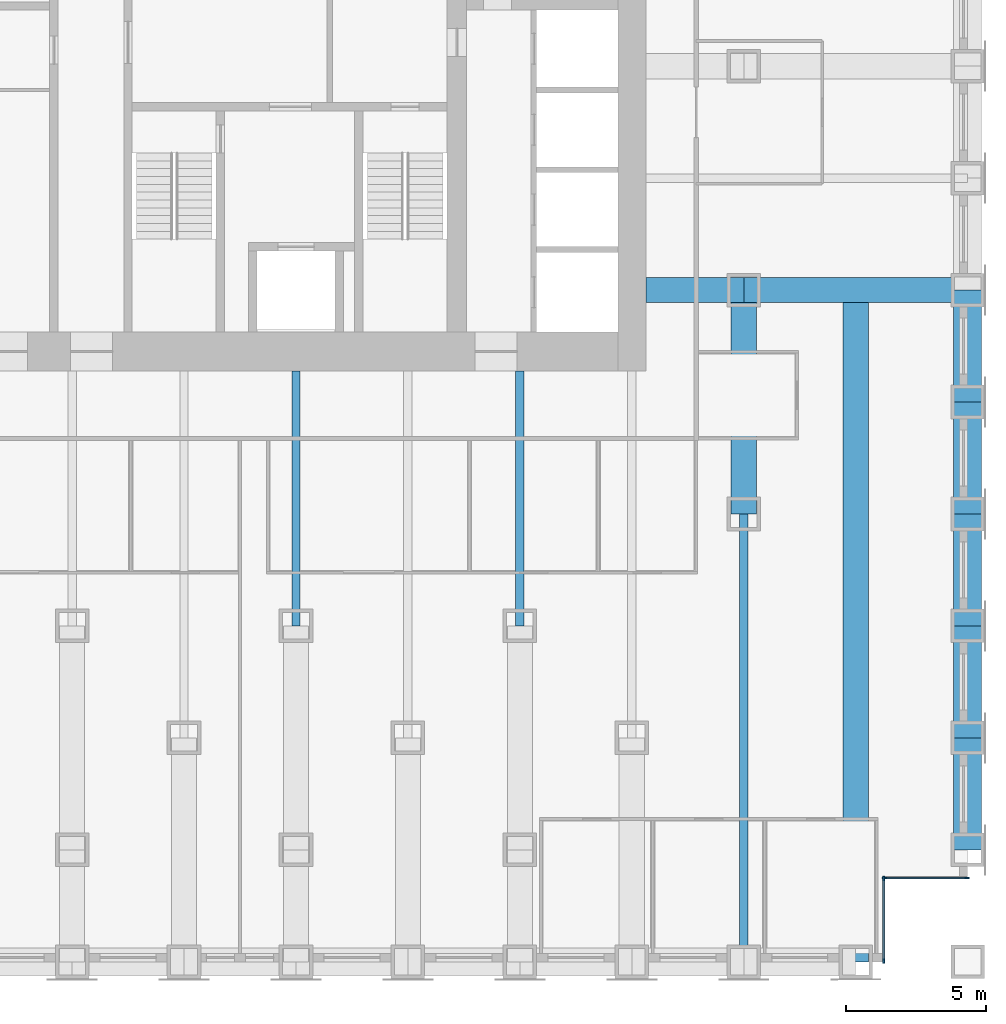
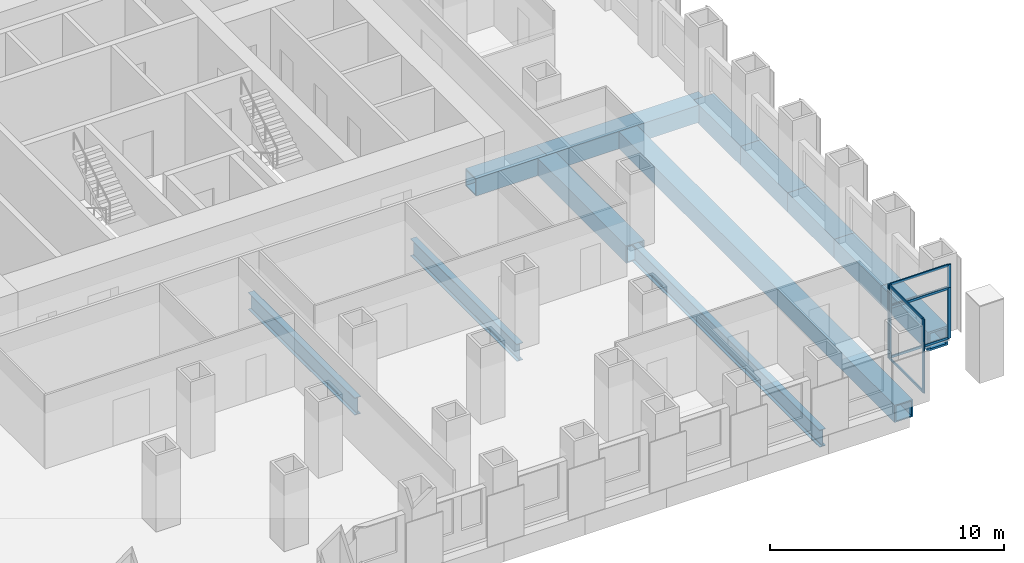
# One storey, part 4 of 15: 12 beams, 12 members, 3 elements without a shape of their own.
"""IFC4 building model written with IfcOpenShell, lengths in metres."""

import ifcopenshell
import ifcopenshell.guid

model = None  # the IFC model being written
_history = None  # IfcOwnerHistory: only IFC2X3 demands one
_inside = {}  # id of a spatial element -> (the spatial element, [elements in it])
_under = {}  # id of a project, library or spatial element -> (it, [spatial elements below it])
_declared = {}  # id of a project -> (the project, [libraries it declares])
_typed = {}  # id of a type object -> (the type object, [elements of that type])
_made_of = {}  # id of a material, layer set ... -> (it, [elements and type objects made of it])


def new_model(schema):
    """Start an empty IFC model of exactly this schema.

    Asked for "IFC4X3", IfcOpenShell would pick the latest addendum, in which some entities
    have other attributes; the version numbers below select the first issue.
    IFC2X3 requires an IfcOwnerHistory on every rooted entity: one is made here for all.
    """
    global model, _history
    if schema == "IFC4X3":
        model = ifcopenshell.file(schema_version=(4, 3, 0, 0))
    else:
        model = ifcopenshell.file(schema=schema)
    _inside.clear()
    _under.clear()
    _declared.clear()
    _typed.clear()
    _made_of.clear()
    _history = None
    if model.schema == "IFC2X3":
        org = make("IfcOrganization", Name="unknown")
        user = make(
            "IfcPersonAndOrganization",
            ThePerson=make("IfcPerson", FamilyName="unknown"),
            TheOrganization=org,
        )
        app = make(
            "IfcApplication",
            ApplicationDeveloper=org,
            Version="unknown",
            ApplicationFullName="unknown",
            ApplicationIdentifier="unknown",
        )
        _history = make(
            "IfcOwnerHistory",
            OwningUser=user,
            OwningApplication=app,
            ChangeAction="ADDED",
            CreationDate=0,
        )
    return model


def make(cls, **values):
    """One entity of the class cls with the attributes given. An attribute that is None is left unset."""
    return model.create_entity(
        cls, **{name: value for name, value in values.items() if value is not None}
    )


def rooted(cls, **values):
    """An entity with a GlobalId (a new one), such as an element, a storey or a relation."""
    return make(cls, GlobalId=ifcopenshell.guid.new(), OwnerHistory=_history, **values)


def si_unit(unit_type, name, prefix=None):
    """IfcSIUnit, for example si_unit("LENGTHUNIT", "METRE", prefix="MILLI")."""
    return make("IfcSIUnit", UnitType=unit_type, Prefix=prefix, Name=name)


def assignment(units):
    """IfcUnitAssignment: the units of a project."""
    return None if units is None else make("IfcUnitAssignment", Units=units)


def point(xyz):
    """IfcCartesianPoint."""
    return None if xyz is None else make("IfcCartesianPoint", Coordinates=xyz)


def direction(xyz):
    """IfcDirection."""
    return None if xyz is None else make("IfcDirection", DirectionRatios=xyz)


def frame(location, z_axis=None, x_axis=None):
    """IfcAxis2Placement3D, a coordinate frame: its origin and axes. An axis left out is left unset."""
    return make(
        "IfcAxis2Placement3D",
        Location=point(location),
        Axis=direction(z_axis),
        RefDirection=direction(x_axis),
    )


def frame_2d(location, x_axis=None):
    """IfcAxis2Placement2D, a coordinate frame in the plane: its origin and x axis."""
    return make(
        "IfcAxis2Placement2D", Location=point(location), RefDirection=direction(x_axis)
    )


def origin():
    """The frame at (0, 0, 0) with its axes left unset."""
    return frame((0.0, 0.0, 0.0))


def origin_2d():
    """The frame at (0, 0) in the plane with its x axis left unset."""
    return frame_2d((0.0, 0.0))


def place(relative_to, where):
    """IfcLocalPlacement: puts the frame where relative to a parent placement (None: the world)."""
    return make(
        "IfcLocalPlacement", PlacementRelTo=relative_to, RelativePlacement=where
    )


def context(
    kind, dimensions, precision=None, world=None, true_north=None, identifier=None
):
    """IfcGeometricRepresentationContext, for example the 3D "Model" context."""
    return make(
        "IfcGeometricRepresentationContext",
        ContextIdentifier=identifier,
        ContextType=kind,
        CoordinateSpaceDimension=dimensions,
        Precision=precision,
        WorldCoordinateSystem=world,
        TrueNorth=true_north,
    )


def subcontext(parent, identifier, kind, view, scale=None):
    """IfcGeometricRepresentationSubContext, for example "Body" below "Model"."""
    return make(
        "IfcGeometricRepresentationSubContext",
        ContextIdentifier=identifier,
        ContextType=kind,
        ParentContext=parent,
        TargetScale=scale,
        TargetView=view,
    )


def project(units=None, contexts=None):
    """IfcProject with its units and contexts."""
    return rooted(
        "IfcProject",
        Name="project",
        RepresentationContexts=contexts,
        UnitsInContext=assignment(units),
    )


def spatial(cls, under=None, at=None, **own):
    """A site, building, storey or space (cls), placed at a placement, below another one or the project."""
    s = rooted(cls, ObjectPlacement=at, **own)
    if under is not None:
        _under.setdefault(under.id(), (under, []))[1].append(s)
    return s


def profile(cls, at=None, kind="AREA", **sizes):
    """A parametric profile (cls). Its sizes go by their IFC names, for example OverallWidth=200.0."""
    return make(cls, ProfileType=kind, Position=at, **sizes)


def rectangle(**sizes):
    """IfcRectangleProfileDef."""
    return profile("IfcRectangleProfileDef", **sizes)


def hollow_rectangle(**sizes):
    """IfcRectangleHollowProfileDef."""
    return profile("IfcRectangleHollowProfileDef", **sizes)


def i_section(**sizes):
    """IfcIShapeProfileDef."""
    return profile("IfcIShapeProfileDef", **sizes)


def extrude(swept, where, along, depth):
    """IfcExtrudedAreaSolid: the profile swept, set in the frame where, extruded along a direction by depth."""
    return make(
        "IfcExtrudedAreaSolid",
        SweptArea=swept,
        Position=where,
        ExtrudedDirection=direction(along),
        Depth=depth,
    )


def shape(context_of_items, identifier, shape_type, items):
    """IfcShapeRepresentation: the items that make up one representation, for example the "Body"."""
    return make(
        "IfcShapeRepresentation",
        ContextOfItems=context_of_items,
        RepresentationIdentifier=identifier,
        RepresentationType=shape_type,
        Items=items,
    )


def material(Name=None, Category=None):
    """IfcMaterial."""
    return make("IfcMaterial", Name=Name, Category=Category)


def material_profile(
    of_material, cross_section, Name=None, Category=None, Priority=None
):
    """IfcMaterialProfile: a cross section and its material."""
    return make(
        "IfcMaterialProfile",
        Name=Name,
        Material=of_material,
        Profile=cross_section,
        Priority=Priority,
        Category=Category,
    )


def profile_set(profiles, Name=None, composite=None):
    """IfcMaterialProfileSet."""
    return make(
        "IfcMaterialProfileSet",
        Name=Name,
        MaterialProfiles=profiles,
        CompositeProfile=composite,
    )


def made_of(thing, what):
    """Note that an element or type object is made of a material, layer set ...; save() writes the relation."""
    if what is not None:
        _made_of.setdefault(what.id(), (what, []))[1].append(thing)
    return thing


def type_object(cls, material=None, **own):
    """A type object (cls), such as IfcWallType, which elements share."""
    return made_of(rooted(cls, **own), material)


def element(
    cls,
    number,
    at=None,
    inside=None,
    cuts=None,
    type_object=None,
    material=None,
    context=None,
    identifier="Body",
    shape_type=None,
    held_by="IfcProductDefinitionShape",
    body=None,
    shapes=None,
    **own,
):
    """One element of the class cls, such as IfcWall. Its Tag is "e" and its number.

    at: its placement. inside: the storey or other place that contains it. cuts: it is an
    opening in that element (IfcRelVoidsElement). A single representation is given by context,
    identifier, shape_type and body (its items); several are given by shapes. held_by: the class
    of the entity that holds the representations. save() writes the other relations.
    """
    e = rooted(cls, Tag="e%d" % number, ObjectPlacement=at, **own)
    if body is not None:
        shapes = [shape(context, identifier, shape_type, body)]
    if shapes is not None:
        e.Representation = make(held_by, Representations=shapes)
    if inside is not None:
        _inside.setdefault(inside.id(), (inside, []))[1].append(e)
    if cuts is not None:
        rooted(
            "IfcRelVoidsElement", RelatingBuildingElement=cuts, RelatedOpeningElement=e
        )
    if type_object is not None:
        _typed.setdefault(type_object.id(), (type_object, []))[1].append(e)
    return made_of(e, material)


def aggregate(whole, parts):
    """IfcRelAggregates: a whole, such as a stair, and the parts it consists of."""
    return rooted("IfcRelAggregates", RelatingObject=whole, RelatedObjects=parts)


def save(model, path):
    """Write the relations noted so far, then the file.

    IfcRelAggregates (storeys below a building ...), IfcRelContainedInSpatialStructure (elements
    in a storey), IfcRelDefinesByType, IfcRelAssociatesMaterial and IfcRelDeclares: one each for
    every whole, place, type object, material and project.
    """
    for whole, parts in _under.values():
        aggregate(whole, parts)
    for where, things in _inside.values():
        rooted(
            "IfcRelContainedInSpatialStructure",
            RelatedElements=things,
            RelatingStructure=where,
        )
    for kind, things in _typed.values():
        rooted("IfcRelDefinesByType", RelatedObjects=things, RelatingType=kind)
    for what, things in _made_of.values():
        rooted("IfcRelAssociatesMaterial", RelatedObjects=things, RelatingMaterial=what)
    for by, libraries in _declared.values():
        rooted("IfcRelDeclares", RelatingContext=by, RelatedDefinitions=libraries)
    model.write(path)


model = new_model("IFC4")

# Units and contexts
model_context = context("Model", 3, precision=1e-05, world=origin(), true_north=direction((0.0, 1.0)))
body_context = subcontext(model_context, "Body", "Model", "MODEL_VIEW")
ifc_project = project(units=[si_unit("LENGTHUNIT", "METRE"), si_unit("AREAUNIT", "SQUARE_METRE"), si_unit("VOLUMEUNIT", "CUBIC_METRE"), si_unit("PLANEANGLEUNIT", "RADIAN"), si_unit("MASSUNIT", "GRAM", prefix="KILO")], contexts=[model_context])

# Site, building, storey
site_placement = place(None, origin())
site = spatial("IfcSite", under=ifc_project, at=site_placement, CompositionType="ELEMENT")
building_placement = place(site_placement, origin())
building = spatial("IfcBuilding", under=site, at=building_placement, Name="Rimbunsela Tower", CompositionType="ELEMENT")
storey_placement = place(building_placement, frame((0.0, 0.0, 39.0)))
storey = spatial("IfcBuildingStorey", under=building, at=storey_placement, Name="L09", CompositionType="ELEMENT", Elevation=39.0)

# Beams
ifc_material_1 = material(Name="Steel BJ 55 (fy 410 MPa)", Category="steel")
ifc_material_profile_1 = material_profile(ifc_material_1, hollow_rectangle(XDim=1.0, YDim=1.0, WallThickness=0.10009765625, at=origin_2d()), Name="BOX 1000x1000x100")
ifc_profile_set_1 = profile_set([ifc_material_profile_1], Name="Steel BJ 55 (fy 410 MPa)")
beam_type_1 = type_object("IfcBeamType", Name="Beam BOX 1000x1000x100", PredefinedType="BEAM", material=ifc_profile_set_1)
for number, where, z_axis, x_axis, name in (
    (1, (54.0, 0.0, -0.64990234375), (0.0, 1.0, 0.0), (-1.0, 0.0, 0.0), "Beam B3 L09"),
    (2, (54.0, 4.0, -0.64990234375), (0.0, 1.0, 0.0), (-1.0, 0.0, 0.0), "Beam B3 L09"),
    (3, (54.0, 8.0, -0.64990234375), (0.0, 1.0, 0.0), (-1.0, 0.0, 0.0), "Beam B3 L09"),
    (4, (54.0, 12.0, -0.64990234375), (0.0, 1.0, 0.0), (-1.0, 0.0, 0.0), "Beam B3 L09"),
    (5, (54.0, 16.0, -0.64990234375), (0.0, 1.0, 0.0), (-1.0, 0.0, 0.0), "Beam B3 L09"),
):
    element("IfcBeam", number, at=place(storey_placement, frame(where, z_axis=z_axis, x_axis=x_axis)), inside=storey, type_object=beam_type_1, Name=name, PredefinedType="BEAM", context=body_context, shape_type="SweptSolid", body=[
        extrude(hollow_rectangle(XDim=1.0, YDim=1.0, WallThickness=0.10009765625, at=origin_2d()), origin(), (0.0, 0.0, 1.0), 4.0),
    ])
ifc_material_2 = material(Name="Steel BJ 55 (fy 410 MPa)", Category="steel")
ifc_material_profile_2 = material_profile(ifc_material_2, hollow_rectangle(XDim=0.89990234375, YDim=0.89990234375, WallThickness=0.06005859375, at=origin_2d()), Name="BOX 900x900x60")
ifc_profile_set_2 = profile_set([ifc_material_profile_2], Name="Steel BJ 55 (fy 410 MPa)")
beam_type_2 = type_object("IfcBeamType", Name="Beam BOX 900x900x60", PredefinedType="BEAM", material=ifc_profile_set_2)
beam_1_placement = place(storey_placement, frame((42.5, 20.0, -0.60009765625), z_axis=(1.0, 0.0, 0.0), x_axis=(0.0, 1.0, 0.0)))
element("IfcBeam", 6, at=beam_1_placement, inside=storey, type_object=beam_type_2, Name="Beam B1 L09", PredefinedType="BEAM", context=body_context, shape_type="SweptSolid", body=[
    extrude(hollow_rectangle(XDim=0.89990234375, YDim=0.89990234375, WallThickness=0.06005859375, at=origin_2d()), origin(), (0.0, 0.0, 1.0), 3.5),
])
for number, where, z_axis, x_axis, name in (
    (7, (46.0, 12.0, -0.60009765625), (0.0, 1.0, 0.0), (-1.0, 0.0, 0.0), "Beam B1 L09"),
    (8, (46.0, 20.0, -0.60009765625), (1.0, 0.0, 0.0), (0.0, 1.0, 0.0), "Beam B1 L09"),
):
    element("IfcBeam", number, at=place(storey_placement, frame(where, z_axis=z_axis, x_axis=x_axis)), inside=storey, type_object=beam_type_2, Name=name, PredefinedType="BEAM", context=body_context, shape_type="SweptSolid", body=[
        extrude(hollow_rectangle(XDim=0.89990234375, YDim=0.89990234375, WallThickness=0.06005859375, at=origin_2d()), origin(), (0.0, 0.0, 1.0), 8.0),
    ])
beam_2_placement = place(storey_placement, frame((50.0, -4.0, -0.60009765625), z_axis=(0.0, 1.0, 0.0), x_axis=(-1.0, 0.0, 0.0)))
element("IfcBeam", 9, at=beam_2_placement, inside=storey, type_object=beam_type_2, Name="Beam B1 L09", PredefinedType="BEAM", context=body_context, shape_type="SweptSolid", body=[
    extrude(hollow_rectangle(XDim=0.89990234375, YDim=0.89990234375, WallThickness=0.06005859375, at=origin_2d()), origin(), (0.0, 0.0, 1.0), 23.550048828125),
])
ifc_material_3 = material(Name="Steel BJ 55 (fy 410 MPa)", Category="steel")
ifc_material_profile_3 = material_profile(ifc_material_3, i_section(OverallWidth=0.300048828125, OverallDepth=0.89990234375, WebThickness=0.01611328125, FlangeThickness=0.028076171875, FilletRadius=0.028076171875, at=origin_2d()), Name="H 900x300x16x28")
ifc_profile_set_3 = profile_set([ifc_material_profile_3], Name="Steel BJ 55 (fy 410 MPa)")
beam_type_3 = type_object("IfcBeamType", Name="Beam H 900x300x16x28", PredefinedType="BEAM", material=ifc_profile_set_3)
for number, where, z_axis, x_axis, name in (
    (10, (30.0, 8.0, -0.60009765625), (0.0, 1.0, 0.0), (-1.0, 0.0, 0.0), "Beam B2 L09"),
    (11, (38.0, 8.0, -0.60009765625), (0.0, 1.0, 0.0), (-1.0, 0.0, 0.0), "Beam B2 L09"),
):
    element("IfcBeam", number, at=place(storey_placement, frame(where, z_axis=z_axis, x_axis=x_axis)), inside=storey, type_object=beam_type_3, Name=name, PredefinedType="BEAM", context=body_context, shape_type="SweptSolid", body=[
        extrude(i_section(OverallWidth=0.300048828125, OverallDepth=0.89990234375, WebThickness=0.01611328125, FlangeThickness=0.028076171875, FilletRadius=0.028076171875, at=origin_2d()), origin(), (0.0, 0.0, 1.0), 9.10009765625),
    ])
beam_3_placement = place(storey_placement, frame((46.0, -4.0, -0.60009765625), z_axis=(0.0, 1.0, 0.0), x_axis=(-1.0, 0.0, 0.0)))
element("IfcBeam", 12, at=beam_3_placement, inside=storey, type_object=beam_type_3, Name="Beam B2 L09", PredefinedType="BEAM", context=body_context, shape_type="SweptSolid", body=[
    extrude(i_section(OverallWidth=0.300048828125, OverallDepth=0.89990234375, WebThickness=0.01611328125, FlangeThickness=0.028076171875, FilletRadius=0.028076171875, at=origin_2d()), origin(), (0.0, 0.0, 1.0), 16.0),
])

# Curtain wall, members
ifc_material_4 = material(Name="Aluminium curtain wall", Category="aluminium")
curtain_wall_type_1 = type_object("IfcCurtainWallType", Name="Corner glazing", PredefinedType="USERDEFINED", material=ifc_material_4)
curtain_wall_1_placement = place(storey_placement, origin())
curtain_wall_1 = element("IfcCurtainWall", 13, at=curtain_wall_1_placement, inside=storey, type_object=curtain_wall_type_1, Name="Corner glazing L09", ObjectType="CORNER GLAZING", PredefinedType="USERDEFINED")
ifc_material_5 = material(Name="Aluminium mullion", Category="aluminium")
ifc_material_profile_4 = material_profile(ifc_material_5, rectangle(XDim=0.06005859375, YDim=0.159912109375, at=origin_2d()), Name="Mullion 60x160")
ifc_profile_set_4 = profile_set([ifc_material_profile_4], Name="Aluminium mullion")
member_type_1 = type_object("IfcMemberType", Name="Curtain wall mullion 60x160", PredefinedType="MULLION", material=ifc_profile_set_4)
member_1_placement = place(storey_placement, frame((51.0, -3.969970703125, 0.0), z_axis=(0.0, 0.0, 1.0), x_axis=(-1.0, 0.0, 0.0)))
member_1 = element("IfcMember", 14, at=member_1_placement, type_object=member_type_1, Name="CW5 mullion 1", PredefinedType="MULLION", context=body_context, shape_type="SweptSolid", body=[
    extrude(rectangle(XDim=0.06005859375, YDim=0.159912109375, at=origin_2d()), origin(), (0.0, 0.0, 1.0), 3.85009765625),
])
member_2_placement = place(storey_placement, frame((51.0, -1.030029296875, 0.0), z_axis=(0.0, 0.0, 1.0), x_axis=(-1.0, 0.0, 0.0)))
member_2 = element("IfcMember", 15, at=member_2_placement, type_object=member_type_1, Name="CW5 mullion 2", PredefinedType="MULLION", context=body_context, shape_type="SweptSolid", body=[
    extrude(rectangle(XDim=0.06005859375, YDim=0.159912109375, at=origin_2d()), origin(), (0.0, 0.0, 1.0), 3.85009765625),
])

curtain_wall_2_placement = place(storey_placement, origin())
curtain_wall_2 = element("IfcCurtainWall", 16, at=curtain_wall_2_placement, inside=storey, type_object=curtain_wall_type_1, Name="Corner glazing L09", ObjectType="CORNER GLAZING", PredefinedType="USERDEFINED")
member_3_placement = place(storey_placement, frame((51.030029296875, -1.0, 0.0), z_axis=(0.0, 0.0, 1.0), x_axis=(0.0, 1.0, 0.0)))
member_3 = element("IfcMember", 17, at=member_3_placement, type_object=member_type_1, Name="CW5 mullion 1", PredefinedType="MULLION", context=body_context, shape_type="SweptSolid", body=[
    extrude(rectangle(XDim=0.06005859375, YDim=0.159912109375, at=origin_2d()), origin(), (0.0, 0.0, 1.0), 2.64990234375),
])
member_4_placement = place(storey_placement, frame((53.969970703125, -1.0, 0.0), z_axis=(0.0, 0.0, 1.0), x_axis=(0.0, 1.0, 0.0)))
member_4 = element("IfcMember", 18, at=member_4_placement, type_object=member_type_1, Name="CW5 mullion 2", PredefinedType="MULLION", context=body_context, shape_type="SweptSolid", body=[
    extrude(rectangle(XDim=0.06005859375, YDim=0.159912109375, at=origin_2d()), origin(), (0.0, 0.0, 1.0), 2.64990234375),
])

ifc_material_6 = material(Name="Aluminium curtain wall", Category="aluminium")
curtain_wall_type_2 = type_object("IfcCurtainWallType", Name="Spandrel wall", PredefinedType="USERDEFINED", material=ifc_material_6)
curtain_wall_3_placement = place(storey_placement, origin())
curtain_wall_3 = element("IfcCurtainWall", 19, at=curtain_wall_3_placement, inside=storey, type_object=curtain_wall_type_2, Name="Spandrel wall L09", ObjectType="SPANDREL WALL", PredefinedType="USERDEFINED")
member_5_placement = place(storey_placement, frame((51.030029296875, -1.0, 2.64990234375), z_axis=(0.0, 0.0, 1.0), x_axis=(0.0, 1.0, 0.0)))
member_5 = element("IfcMember", 20, at=member_5_placement, type_object=member_type_1, Name="CW7 mullion 1", PredefinedType="MULLION", context=body_context, shape_type="SweptSolid", body=[
    extrude(rectangle(XDim=0.06005859375, YDim=0.159912109375, at=origin_2d()), origin(), (0.0, 0.0, 1.0), 1.2001953125),
])
member_6_placement = place(storey_placement, frame((53.969970703125, -1.0, 2.64990234375), z_axis=(0.0, 0.0, 1.0), x_axis=(0.0, 1.0, 0.0)))
member_6 = element("IfcMember", 21, at=member_6_placement, type_object=member_type_1, Name="CW7 mullion 2", PredefinedType="MULLION", context=body_context, shape_type="SweptSolid", body=[
    extrude(rectangle(XDim=0.06005859375, YDim=0.159912109375, at=origin_2d()), origin(), (0.0, 0.0, 1.0), 1.2001953125),
])

# Member
ifc_material_7 = material(Name="Aluminium transom", Category="aluminium")
ifc_material_profile_5 = material_profile(ifc_material_7, rectangle(XDim=0.06005859375, YDim=0.1201171875, at=origin_2d()), Name="Transom 60x120")
ifc_profile_set_5 = profile_set([ifc_material_profile_5], Name="Aluminium transom")
member_type_2 = type_object("IfcMemberType", Name="Curtain wall transom 60x120", PredefinedType="USERDEFINED", material=ifc_profile_set_5)
member_7_placement = place(storey_placement, frame((51.0, -3.93994140625, 0.030029296875), z_axis=(0.0, 1.0, 0.0), x_axis=(-1.0, 0.0, 0.0)))
member_7 = element("IfcMember", 22, at=member_7_placement, type_object=member_type_2, Name="CW5 transom 1.1", ObjectType="TRANSOM", PredefinedType="USERDEFINED", context=body_context, shape_type="SweptSolid", body=[
    extrude(rectangle(XDim=0.06005859375, YDim=0.1201171875, at=origin_2d()), origin(), (0.0, 0.0, 1.0), 2.8798828125),
])

member_8_placement = place(storey_placement, frame((51.0, -3.93994140625, 3.820068359375), z_axis=(0.0, 1.0, 0.0), x_axis=(-1.0, 0.0, 0.0)))
member_8 = element("IfcMember", 23, at=member_8_placement, type_object=member_type_2, Name="CW5 transom 1.2", ObjectType="TRANSOM", PredefinedType="USERDEFINED", context=body_context, shape_type="SweptSolid", body=[
    extrude(rectangle(XDim=0.06005859375, YDim=0.1201171875, at=origin_2d()), origin(), (0.0, 0.0, 1.0), 2.8798828125),
])

aggregate(curtain_wall_1, [member_1, member_2, member_7, member_8])

member_9_placement = place(storey_placement, frame((51.06005859375, -1.0, 0.030029296875), z_axis=(1.0, 0.0, 0.0), x_axis=(0.0, 1.0, 0.0)))
member_9 = element("IfcMember", 24, at=member_9_placement, type_object=member_type_2, Name="CW5 transom 1.1", ObjectType="TRANSOM", PredefinedType="USERDEFINED", context=body_context, shape_type="SweptSolid", body=[
    extrude(rectangle(XDim=0.06005859375, YDim=0.1201171875, at=origin_2d()), origin(), (0.0, 0.0, 1.0), 2.8798828125),
])

member_10_placement = place(storey_placement, frame((51.06005859375, -1.0, 2.6201171875), z_axis=(1.0, 0.0, 0.0), x_axis=(0.0, 1.0, 0.0)))
member_10 = element("IfcMember", 25, at=member_10_placement, type_object=member_type_2, Name="CW5 transom 1.2", ObjectType="TRANSOM", PredefinedType="USERDEFINED", context=body_context, shape_type="SweptSolid", body=[
    extrude(rectangle(XDim=0.06005859375, YDim=0.1201171875, at=origin_2d()), origin(), (0.0, 0.0, 1.0), 2.8798828125),
])

aggregate(curtain_wall_2, [member_3, member_4, member_9, member_10])

member_11_placement = place(storey_placement, frame((51.06005859375, -1.0, 2.679931640625), z_axis=(1.0, 0.0, 0.0), x_axis=(0.0, 1.0, 0.0)))
member_11 = element("IfcMember", 26, at=member_11_placement, type_object=member_type_2, Name="CW7 transom 1.1", ObjectType="TRANSOM", PredefinedType="USERDEFINED", context=body_context, shape_type="SweptSolid", body=[
    extrude(rectangle(XDim=0.06005859375, YDim=0.1201171875, at=origin_2d()), origin(), (0.0, 0.0, 1.0), 2.8798828125),
])

member_12_placement = place(storey_placement, frame((51.06005859375, -1.0, 3.820068359375), z_axis=(1.0, 0.0, 0.0), x_axis=(0.0, 1.0, 0.0)))
member_12 = element("IfcMember", 27, at=member_12_placement, type_object=member_type_2, Name="CW7 transom 1.2", ObjectType="TRANSOM", PredefinedType="USERDEFINED", context=body_context, shape_type="SweptSolid", body=[
    extrude(rectangle(XDim=0.06005859375, YDim=0.1201171875, at=origin_2d()), origin(), (0.0, 0.0, 1.0), 2.8798828125),
])

aggregate(curtain_wall_3, [member_5, member_6, member_11, member_12])

save(model, "model.ifc")
